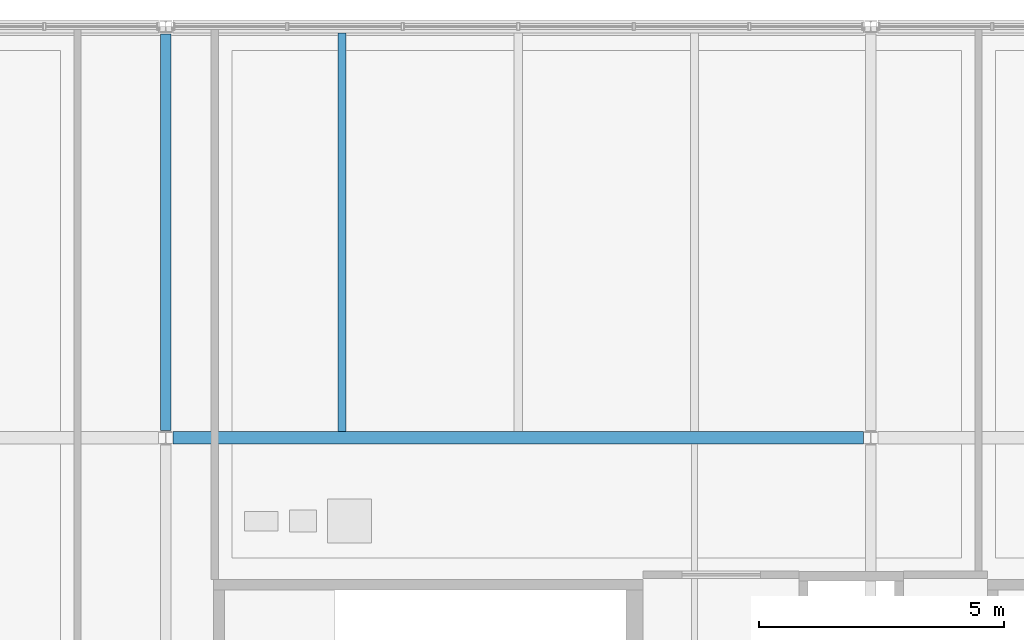
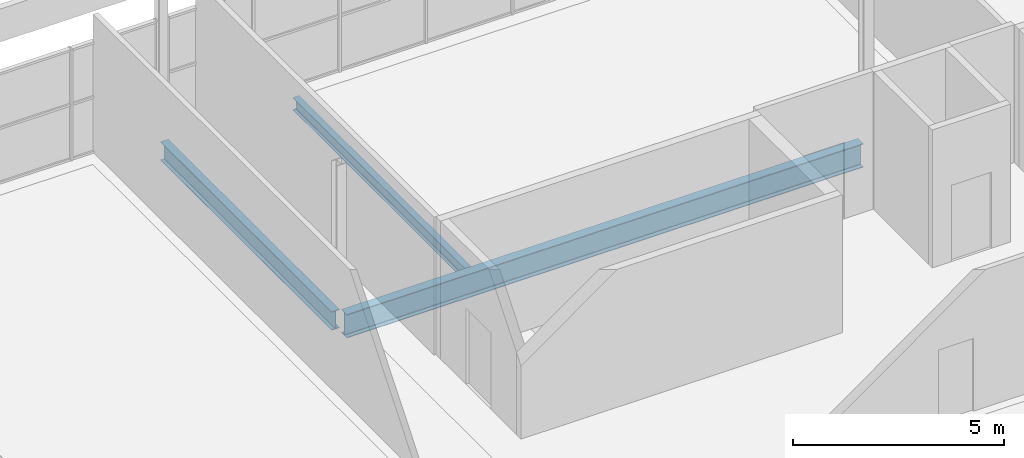
# One storey, part 28 of 43: 3 beams.
"""IFC4 building model written with IfcOpenShell, lengths in metres."""

from ifc_helpers import new_model, si_unit, direction, frame, origin, origin_2d, place, context, subcontext, project, spatial, i_section, extrude, material, material_profile, profile_set, type_object, element, save


model = new_model("IFC4")

# Units and contexts
model_context = context("Model", 3, precision=1e-05, world=origin(), true_north=direction((0.0, 1.0)))
body_context = subcontext(model_context, "Body", "Model", "MODEL_VIEW")
ifc_project = project(units=[si_unit("LENGTHUNIT", "METRE"), si_unit("AREAUNIT", "SQUARE_METRE"), si_unit("VOLUMEUNIT", "CUBIC_METRE"), si_unit("PLANEANGLEUNIT", "RADIAN"), si_unit("MASSUNIT", "GRAM", prefix="KILO"), si_unit("THERMODYNAMICTEMPERATUREUNIT", "KELVIN")], contexts=[model_context])

# Site, building, storey
site_placement = place(None, origin())
site = spatial("IfcSite", under=ifc_project, at=site_placement, CompositionType="ELEMENT")
building_placement = place(site_placement, origin())
building = spatial("IfcBuilding", under=site, at=building_placement, Name="Nduvali Passage Aquatics Centre", CompositionType="ELEMENT")
storey_placement = place(building_placement, frame((0.0, 0.0, 17.39990234375)))
storey = spatial("IfcBuildingStorey", under=building, at=storey_placement, Name="L04", CompositionType="ELEMENT", Elevation=17.39990234375)

# Beams
ifc_material = material(Name="Steel S355", Category="steel")
ifc_material_profile_1 = material_profile(ifc_material, i_section(OverallWidth=0.210693359375, OverallDepth=0.53955078125, WebThickness=0.01171875, FlangeThickness=0.018798828125, FilletRadius=0.0126953125, at=origin_2d()), Name="UKB 533x210x109")
ifc_profile_set_1 = profile_set([ifc_material_profile_1], Name="Steel S355")
beam_type_1 = type_object("IfcBeamType", Name="STR-BM-UKB533", PredefinedType="BEAM", material=ifc_profile_set_1)
beam_1_placement = place(storey_placement, frame((97.199951171875, 109.35009765625, -0.503662109375), z_axis=(0.0, 1.0, 0.0), x_axis=(-1.0, 0.0, 0.0)))
element("IfcBeam", 1, at=beam_1_placement, inside=storey, type_object=beam_type_1, Name="L04 Primary Y-Girder B6-1382", PredefinedType="BEAM", context=body_context, shape_type="SweptSolid", body=[
    extrude(i_section(OverallWidth=0.210693359375, OverallDepth=0.53955078125, WebThickness=0.01171875, FlangeThickness=0.018798828125, FilletRadius=0.0126953125, at=origin_2d()), origin(), (0.0, 0.0, 1.0), 8.099853515625),
])
ifc_material_profile_2 = material_profile(ifc_material, i_section(OverallWidth=0.253662109375, OverallDepth=0.68359375, WebThickness=0.012451171875, FlangeThickness=0.01904296875, FilletRadius=0.01513671875, at=origin_2d()), Name="UKB 686x254x140")
ifc_profile_set_2 = profile_set([ifc_material_profile_2], Name="Steel S355")
beam_type_2 = type_object("IfcBeamType", Name="STR-BM-UKB686", PredefinedType="BEAM", material=ifc_profile_set_2)
beam_2_placement = place(storey_placement, frame((97.35009765625, 109.199951171875, -0.57568359375), z_axis=(1.0, 0.0, 0.0), x_axis=(0.0, 1.0, 0.0)))
element("IfcBeam", 2, at=beam_2_placement, inside=storey, type_object=beam_type_2, Name="L04 Primary X-Girder B4-1346", PredefinedType="BEAM", context=body_context, shape_type="SweptSolid", body=[
    extrude(i_section(OverallWidth=0.253662109375, OverallDepth=0.68359375, WebThickness=0.012451171875, FlangeThickness=0.01904296875, FilletRadius=0.01513671875, at=origin_2d()), origin(), (0.0, 0.0, 1.0), 14.099853515625),
])
ifc_material_profile_3 = material_profile(ifc_material, i_section(OverallWidth=0.169921875, OverallDepth=0.360107421875, WebThickness=0.008056640625, FlangeThickness=0.0126953125, FilletRadius=0.01806640625, at=origin_2d()), Name="IPE 360")
ifc_profile_set_3 = profile_set([ifc_material_profile_3], Name="Steel S355")
beam_type_3 = type_object("IfcBeamType", Name="STR-JST-IPE360", PredefinedType="JOIST", material=ifc_profile_set_3)
beam_3_placement = place(storey_placement, frame((100.800048828125, 109.326904296875, -0.413818359375), z_axis=(0.0, 1.0, 0.0), x_axis=(-1.0, 0.0, 0.0)))
element("IfcBeam", 3, at=beam_3_placement, inside=storey, type_object=beam_type_3, Name="L04 Secondary Joist J6-1434", PredefinedType="JOIST", context=body_context, shape_type="SweptSolid", body=[
    extrude(i_section(OverallWidth=0.169921875, OverallDepth=0.360107421875, WebThickness=0.008056640625, FlangeThickness=0.0126953125, FilletRadius=0.01806640625, at=origin_2d()), origin(), (0.0, 0.0, 1.0), 8.139892578125),
])

save(model, "model.ifc")
